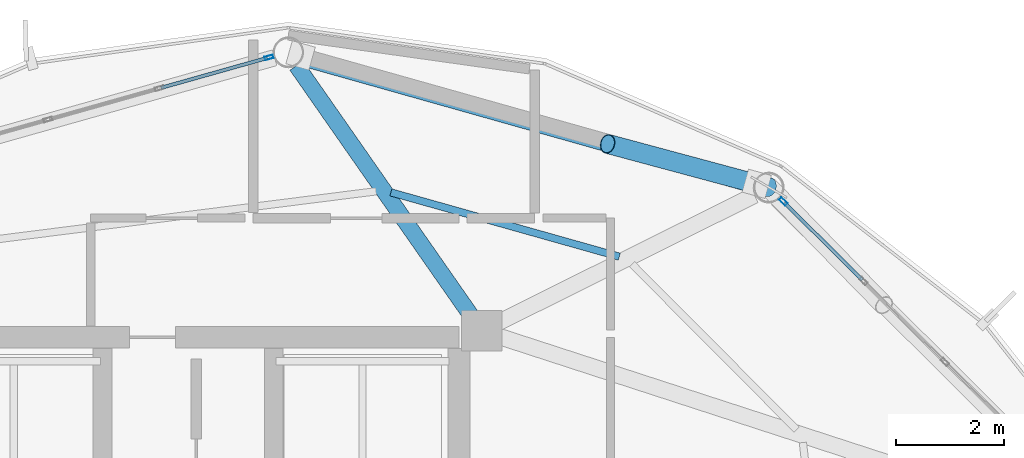
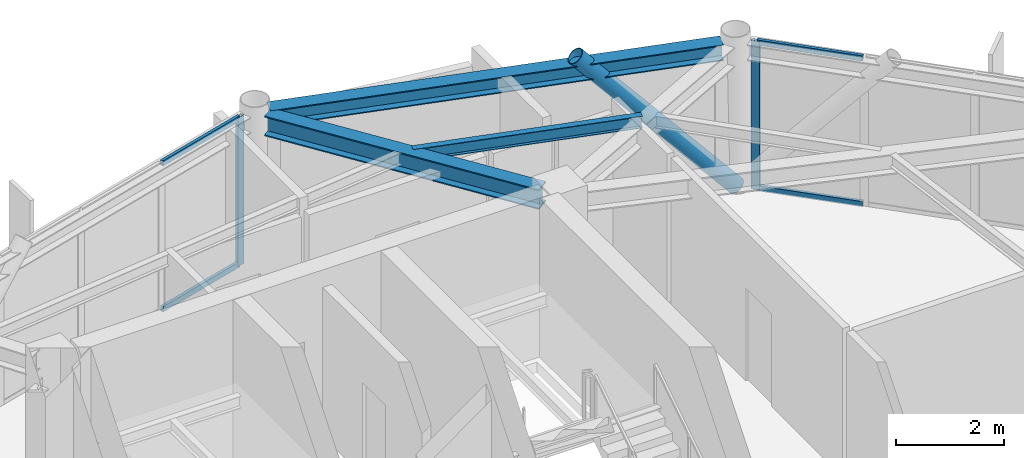
# One storey, part 17 of 24: 7 members, 3 beams, 2 elements without a shape of their own.
"""IFC4 building model written with IfcOpenShell, lengths in metres."""

from ifc_helpers import new_model, si_unit, direction, frame, origin, origin_2d, place, context, subcontext, project, spatial, hollow_rectangle, hollow_circle, i_section, extrude, material, layer, layer_set, material_profile, profile_set, type_object, element, aggregate, save


model = new_model("IFC4")

# Units and contexts
model_context = context("Model", 3, precision=1e-05, world=origin(), true_north=direction((0.0, 1.0)))
body_context = subcontext(model_context, "Body", "Model", "MODEL_VIEW")
ifc_project = project(units=[si_unit("LENGTHUNIT", "METRE"), si_unit("AREAUNIT", "SQUARE_METRE"), si_unit("VOLUMEUNIT", "CUBIC_METRE"), si_unit("PLANEANGLEUNIT", "RADIAN"), si_unit("MASSUNIT", "GRAM", prefix="KILO")], contexts=[model_context])

# Site, building, storey
site_placement = place(None, origin())
site = spatial("IfcSite", under=ifc_project, at=site_placement, CompositionType="ELEMENT")
building_placement = place(site_placement, origin())
building = spatial("IfcBuilding", under=site, at=building_placement, Name="Varnakorn Sky Granary", CompositionType="ELEMENT")
storey_placement = place(building_placement, frame((0.0, 0.0, 281.39990234375)))
storey = spatial("IfcBuildingStorey", under=building, at=storey_placement, Name="L72", CompositionType="ELEMENT", Elevation=281.39990234375)

# Beams
ifc_material_1 = material(Name="Steel S355JR", Category="steel")
ifc_material_profile_1 = material_profile(ifc_material_1, i_section(OverallWidth=0.300048828125, OverallDepth=0.449951171875, WebThickness=0.013916015625, FlangeThickness=0.02587890625, at=origin_2d()), Name="HE 450 B")
ifc_profile_set_1 = profile_set([ifc_material_profile_1], Name="Steel S355JR")
beam_type_1 = type_object("IfcBeamType", Name="BM-RAD-Z5", PredefinedType="BEAM", material=ifc_profile_set_1)
beam_1_placement = place(storey_placement, frame((8.216796875, 12.9111328125, 3.135009765625), z_axis=(-0.572405924577, 0.819970400386, 0.0), x_axis=(-0.819970400386, -0.572405924577, 0.0)))
element("IfcBeam", 1, at=beam_1_placement, inside=storey, type_object=beam_type_1, Name="Radial Floor Girder RG04 L72", PredefinedType="BEAM", context=body_context, shape_type="SweptSolid", body=[
    extrude(i_section(OverallWidth=0.300048828125, OverallDepth=0.449951171875, WebThickness=0.013916015625, FlangeThickness=0.02587890625, at=origin_2d()), origin(), (0.0, 0.0, 1.0), 5.6171875),
])
ifc_material_profile_2 = material_profile(ifc_material_1, i_section(OverallWidth=0.135009765625, OverallDepth=0.27001953125, WebThickness=0.006591796875, FlangeThickness=0.01025390625, at=origin_2d()), Name="IPE 270")
ifc_profile_set_2 = profile_set([ifc_material_profile_2], Name="Steel S355JR")
beam_type_2 = type_object("IfcBeamType", Name="BM-SEC-Z5", PredefinedType="BEAM", material=ifc_profile_set_2)
beam_2_placement = place(storey_placement, frame((10.96142578125, 13.98876953125, 3.22509765625), z_axis=(-0.962572386659, 0.271024722935, 0.0), x_axis=(-0.271024722935, -0.962572386659, 0.0)))
element("IfcBeam", 2, at=beam_2_placement, inside=storey, type_object=beam_type_2, Name="Secondary Floor Chord Beam MSB03 L72", PredefinedType="BEAM", context=body_context, shape_type="SweptSolid", body=[
    extrude(i_section(OverallWidth=0.135009765625, OverallDepth=0.27001953125, WebThickness=0.006591796875, FlangeThickness=0.01025390625, at=origin_2d()), origin(), (0.0, 0.0, 1.0), 4.381591796875),
])
ifc_material_profile_3 = material_profile(ifc_material_1, i_section(OverallWidth=0.300048828125, OverallDepth=0.360107421875, WebThickness=0.012451171875, FlangeThickness=0.0224609375, at=origin_2d()), Name="HE 360 B")
ifc_profile_set_3 = profile_set([ifc_material_profile_3], Name="Steel S355JR")
beam_type_3 = type_object("IfcBeamType", Name="BM-SPD-Z5", PredefinedType="SPANDREL", material=ifc_profile_set_3)
beam_3_placement = place(storey_placement, frame((13.43701171875, 15.31298828125, 3.18017578125), z_axis=(-0.962482163181, 0.271344956757, 0.0), x_axis=(-0.271344956757, -0.962482163181, 0.0)))
element("IfcBeam", 3, at=beam_3_placement, inside=storey, type_object=beam_type_3, Name="Perimeter Spandrel Ring Beam RB03 L72", PredefinedType="SPANDREL", context=body_context, shape_type="SweptSolid", body=[
    extrude(i_section(OverallWidth=0.300048828125, OverallDepth=0.360107421875, WebThickness=0.012451171875, FlangeThickness=0.0224609375, at=origin_2d()), origin(), (0.0, 0.0, 1.0), 8.6572265625),
])

# Curtain wall, member
ifc_material_2 = material(Name="Anodised Bronze Aluminium Alloy 6063-T6", Category="aluminium")
ifc_layer = layer(ifc_material_2, 0.159912109375, Name="Anodised Bronze Aluminium Alloy 6063-T6")
ifc_layer_set = layer_set([ifc_layer], Name="Anodised Bronze Aluminium Alloy 6063-T6")
curtain_wall_type = type_object("IfcCurtainWallType", Name="CW-OFF-1", PredefinedType="USERDEFINED", material=ifc_layer_set)
curtain_wall_1_placement = place(storey_placement, origin())
curtain_wall_1 = element("IfcCurtainWall", 4, at=curtain_wall_1_placement, inside=storey, type_object=curtain_wall_type, Name="Unitised Curtain Wall CW6 CW-L72-B02", ObjectType="CURTAIN WALL", PredefinedType="USERDEFINED")
ifc_material_profile_4 = material_profile(ifc_material_2, hollow_rectangle(XDim=0.06494140625, YDim=0.159912109375, WallThickness=0.00341796875, at=origin_2d()), Name="ALU MULL 65x160")
ifc_profile_set_4 = profile_set([ifc_material_profile_4], Name="Anodised Bronze Aluminium Alloy 6063-T6")
member_type_1 = type_object("IfcMemberType", Name="CW-OFF-1-MULL", PredefinedType="MULLION", material=ifc_profile_set_4)
member_1_placement = place(storey_placement, frame((13.989013671875, 15.00830078125, 0.0), z_axis=(0.0, 0.0, 1.0), x_axis=(0.704761759046, 0.709444052048, 0.0)))
member_1 = element("IfcMember", 5, at=member_1_placement, type_object=member_type_1, Name="CW6 mullion 1", PredefinedType="MULLION", context=body_context, shape_type="SweptSolid", body=[
    extrude(hollow_rectangle(XDim=0.06494140625, YDim=0.159912109375, WallThickness=0.00341796875, at=origin_2d()), origin(), (0.0, 0.0, 1.0), 3.360107421875),
])

curtain_wall_2_placement = place(storey_placement, origin())
curtain_wall_2 = element("IfcCurtainWall", 6, at=curtain_wall_2_placement, inside=storey, type_object=curtain_wall_type, Name="Unitised Curtain Wall CW6 CW-L72-B04", ObjectType="CURTAIN WALL", PredefinedType="USERDEFINED")
member_2_placement = place(storey_placement, frame((4.491943359375, 17.667236328125, 0.0), z_axis=(0.0, 0.0, 1.0), x_axis=(-0.270868319703, 0.962616410301, 0.0)))
member_2 = element("IfcMember", 7, at=member_2_placement, type_object=member_type_1, Name="CW6 mullion 5", PredefinedType="MULLION", context=body_context, shape_type="SweptSolid", body=[
    extrude(hollow_rectangle(XDim=0.06494140625, YDim=0.159912109375, WallThickness=0.00341796875, at=origin_2d()), origin(), (0.0, 0.0, 1.0), 3.360107421875),
])

# Member
ifc_material_profile_5 = material_profile(ifc_material_2, hollow_rectangle(XDim=0.06494140625, YDim=0.1201171875, WallThickness=0.00341796875, at=origin_2d()), Name="ALU TRAN 65x120")
ifc_profile_set_5 = profile_set([ifc_material_profile_5], Name="Anodised Bronze Aluminium Alloy 6063-T6")
member_type_2 = type_object("IfcMemberType", Name="CW-OFF-1-TRAN", PredefinedType="USERDEFINED", material=ifc_profile_set_5)
member_3_placement = place(storey_placement, frame((14.011962890625, 14.985595703125, 0.03271484375), z_axis=(0.709396889916, -0.704809231336, 0.0), x_axis=(0.704809231336, 0.709396889916, 0.0)))
member_3 = element("IfcMember", 8, at=member_3_placement, type_object=member_type_2, Name="CW6 transom 1.1", ObjectType="TRANSOM", PredefinedType="USERDEFINED", context=body_context, shape_type="SweptSolid", body=[
    extrude(hollow_rectangle(XDim=0.06494140625, YDim=0.1201171875, WallThickness=0.00341796875, at=origin_2d()), origin(), (0.0, 0.0, 1.0), 2.022216796875),
])

member_4_placement = place(storey_placement, frame((14.011962890625, 14.985595703125, 3.32763671875), z_axis=(0.709396889916, -0.704809231336, 0.0), x_axis=(0.704809231336, 0.709396889916, 0.0)))
member_4 = element("IfcMember", 9, at=member_4_placement, type_object=member_type_2, Name="CW6 transom 1.2", ObjectType="TRANSOM", PredefinedType="USERDEFINED", context=body_context, shape_type="SweptSolid", body=[
    extrude(hollow_rectangle(XDim=0.06494140625, YDim=0.1201171875, WallThickness=0.00341796875, at=origin_2d()), origin(), (0.0, 0.0, 1.0), 2.022216796875),
])

aggregate(curtain_wall_1, [member_1, member_3, member_4])

member_5_placement = place(storey_placement, frame((2.4990234375, 17.1064453125, 0.03271484375), z_axis=(0.962614828152, 0.270873942309, 0.0), x_axis=(-0.270873942309, 0.962614828152, 0.0)))
member_5 = element("IfcMember", 10, at=member_5_placement, type_object=member_type_2, Name="CW6 transom 4.1", ObjectType="TRANSOM", PredefinedType="USERDEFINED", context=body_context, shape_type="SweptSolid", body=[
    extrude(hollow_rectangle(XDim=0.06494140625, YDim=0.1201171875, WallThickness=0.00341796875, at=origin_2d()), origin(), (0.0, 0.0, 1.0), 2.037841796875),
])

member_6_placement = place(storey_placement, frame((2.4990234375, 17.1064453125, 3.32763671875), z_axis=(0.962614828152, 0.270873942309, 0.0), x_axis=(-0.270873942309, 0.962614828152, 0.0)))
member_6 = element("IfcMember", 11, at=member_6_placement, type_object=member_type_2, Name="CW6 transom 4.2", ObjectType="TRANSOM", PredefinedType="USERDEFINED", context=body_context, shape_type="SweptSolid", body=[
    extrude(hollow_rectangle(XDim=0.06494140625, YDim=0.1201171875, WallThickness=0.00341796875, at=origin_2d()), origin(), (0.0, 0.0, 1.0), 2.037841796875),
])

aggregate(curtain_wall_2, [member_2, member_5, member_6])

ifc_material_3 = material(Name="Steel S460M", Category="steel")
ifc_material_profile_6 = material_profile(ifc_material_3, hollow_circle(Radius=0.177734375, WallThickness=0.01416015625, at=origin_2d()), Name="CHS 355.6x14")
ifc_profile_set_6 = profile_set([ifc_material_profile_6], Name="Steel S460M")
member_type_3 = type_object("IfcMemberType", Name="MB-DIAG-T5", PredefinedType="BRACE", material=ifc_profile_set_6)
member_7_placement = place(storey_placement, frame((13.72509765625, 15.2705078125, 0.0), z_axis=(-0.639763102174, 0.172032292935, 0.749071467408), x_axis=(-0.25967561977, -0.965695900632, 0.0)))
element("IfcMember", 12, at=member_7_placement, inside=storey, type_object=member_type_3, Name="Perimeter CHS Diagrid Brace DG03 L72", PredefinedType="BRACE", context=body_context, shape_type="SweptSolid", body=[
    extrude(hollow_circle(Radius=0.177734375, WallThickness=0.01416015625, at=origin_2d()), origin(), (0.0, 0.0, 1.0), 4.6591796875),
])

save(model, "model.ifc")
